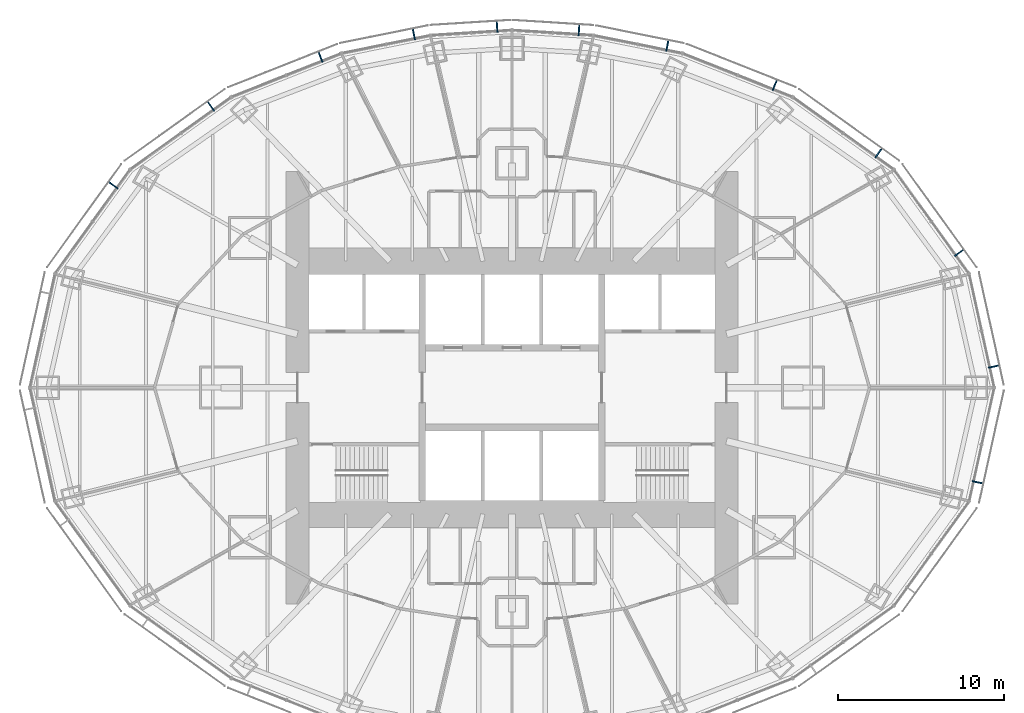
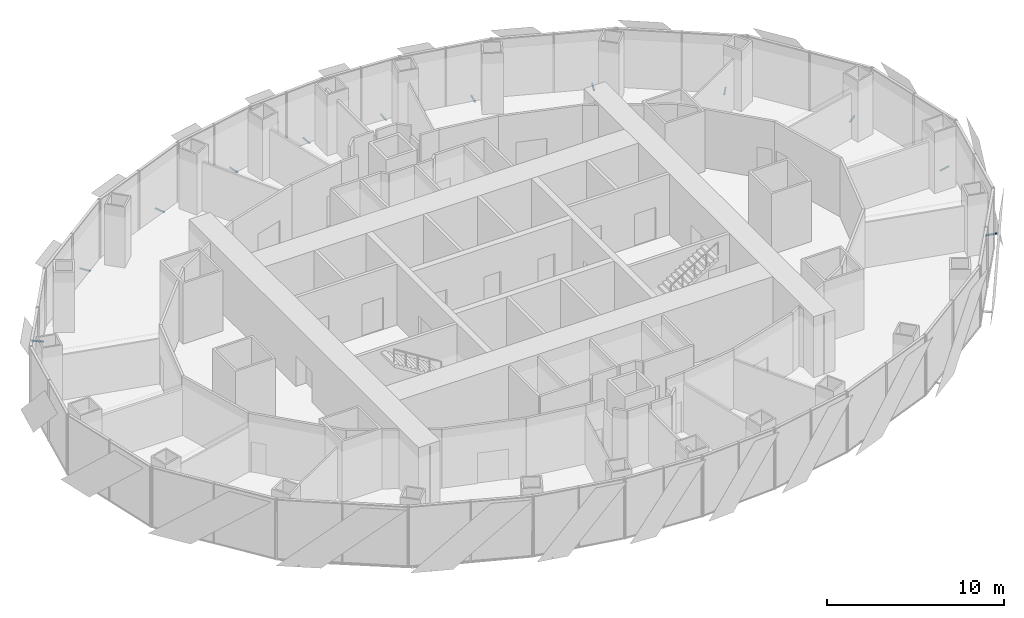
# One storey, part 14 of 17: 12 discrete accessories.
"""IFC4 building model written with IfcOpenShell, lengths in metres."""

from ifc_helpers import new_model, si_unit, direction, frame, origin, origin_2d, place, context, subcontext, project, spatial, rectangle, extrude, element, save


model = new_model("IFC4")

# Units and contexts
model_context = context("Model", 3, precision=1e-05, world=origin(), true_north=direction((0.0, 1.0)))
body_context = subcontext(model_context, "Body", "Model", "MODEL_VIEW")
ifc_project = project(units=[si_unit("LENGTHUNIT", "METRE"), si_unit("AREAUNIT", "SQUARE_METRE"), si_unit("VOLUMEUNIT", "CUBIC_METRE"), si_unit("PLANEANGLEUNIT", "RADIAN"), si_unit("MASSUNIT", "GRAM", prefix="KILO")], contexts=[model_context])

# Site, building, storey
site_placement = place(None, origin())
site = spatial("IfcSite", under=ifc_project, at=site_placement, CompositionType="ELEMENT")
building_placement = place(site_placement, origin())
building = spatial("IfcBuilding", under=site, at=building_placement, Name="Lantaw Convention Tower", CompositionType="ELEMENT")
storey_placement = place(building_placement, frame((0.0, 0.0, 163.60009765625)))
storey = spatial("IfcBuildingStorey", under=building, at=storey_placement, Name="L38", CompositionType="ELEMENT", Elevation=163.60009765625)

# Discrete accessories
for number, where, z_axis, x_axis, name in (
    (1, (28.98486328125, 1.269775390625, -0.115234375), (0.0, 0.0, 1.0), (-0.215546166174, 0.9764936509, 0.0), "Screen bracket"),
    (2, (26.900146484375, 8.111572265625, -0.115234375), (0.0, 0.0, 1.0), (-0.584512597221, 0.811384633629, 0.0), "Screen bracket"),
    (3, (22.044189453125, 14.10546875, -0.115234375), (0.0, 0.0, 1.0), (-0.813208325995, 0.581972695693, 0.0), "Screen bracket"),
    (4, (15.802978515625, 18.18798828125, -0.115234375), (0.0, 0.0, 1.0), (-0.929547687544, 0.368701907483, 0.0), "Screen bracket"),
    (5, (9.339599609375, 20.56005859375, -0.115234375), (0.0, 0.0, 1.0), (-0.980301514912, 0.197506809659, 0.0), "Screen bracket"),
    (6, (4.027099609375, 21.505859375, -0.115234375), (0.0, 0.0, 1.0), (-0.998022035978, 0.062865059466, 0.0), "Screen bracket"),
    (7, (-0.89794921875, 21.702880859375, -0.115234375), (0.0, 0.0, 1.0), (-0.998022035978, -0.062865059466, 0.0), "Screen bracket"),
    (8, (-5.903076171875, 21.25244140625, -0.115234375), (0.0, 0.0, 1.0), (-0.980301514912, -0.197506809659, 0.0), "Screen bracket"),
    (9, (-11.517822265625, 19.887939453125, -0.115234375), (0.0, 0.0, 1.0), (-0.929547687544, -0.368701907483, 0.0), "Screen bracket"),
    (10, (-18.10791015625, 16.922607421875, -0.115234375), (0.0, 0.0, 1.0), (-0.813208325995, -0.581972695693, 0.0), "Screen bracket"),
    (11, (-23.9765625, 12.169677734375, -0.115234375), (0.0, 0.0, 1.0), (-0.584512597221, -0.811384633629, 0.0), "Screen bracket"),
    (12, (28.008056640625, -5.6953125, -0.115234375), (0.0, 0.0, 1.0), (0.215546166174, 0.9764936509, 0.0), "Screen bracket"),
):
    element("IfcDiscreteAccessory", number, at=place(storey_placement, frame(where, z_axis=z_axis, x_axis=x_axis)), inside=storey, Name=name, PredefinedType="BRACKET", context=body_context, shape_type="SweptSolid", body=[
        extrude(rectangle(XDim=0.080078125, YDim=0.68798828125, at=origin_2d()), origin(), (0.0, 0.0, 1.0), 0.080078125),
    ])

save(model, "model.ifc")
